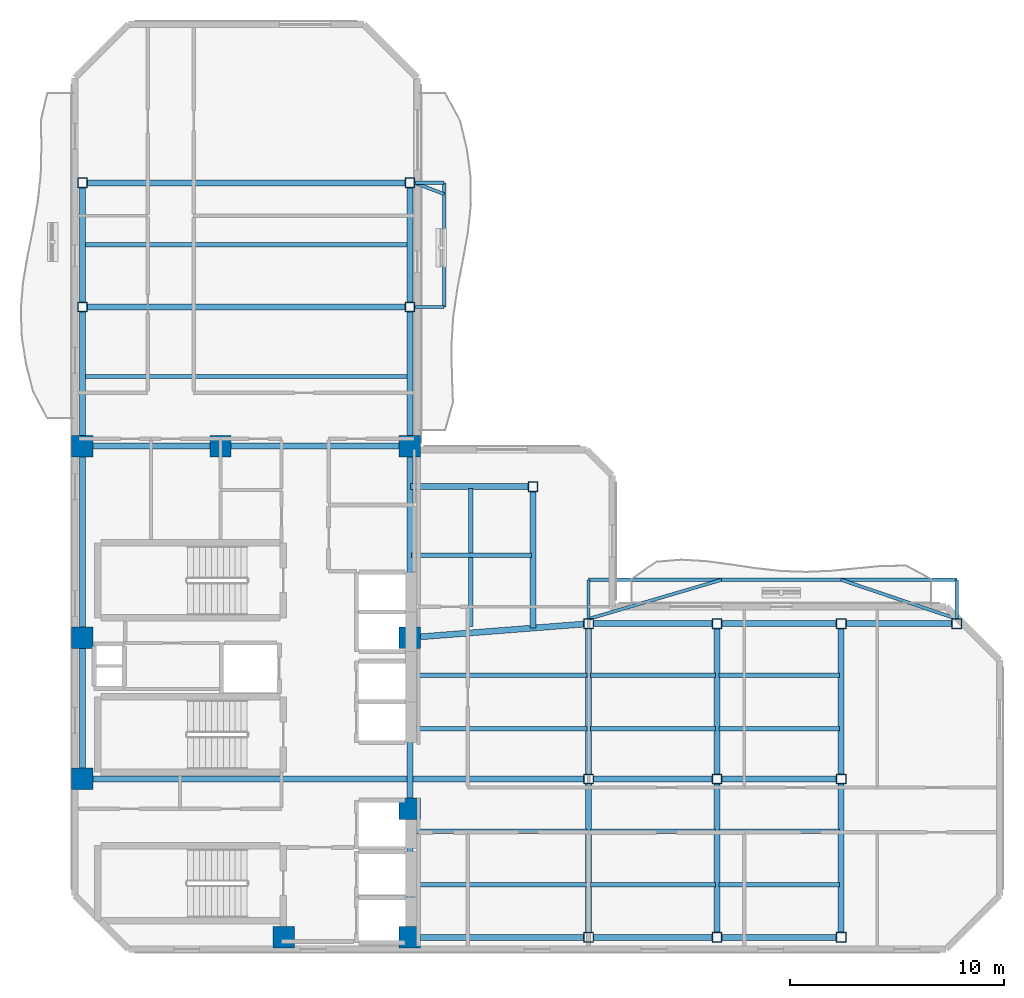
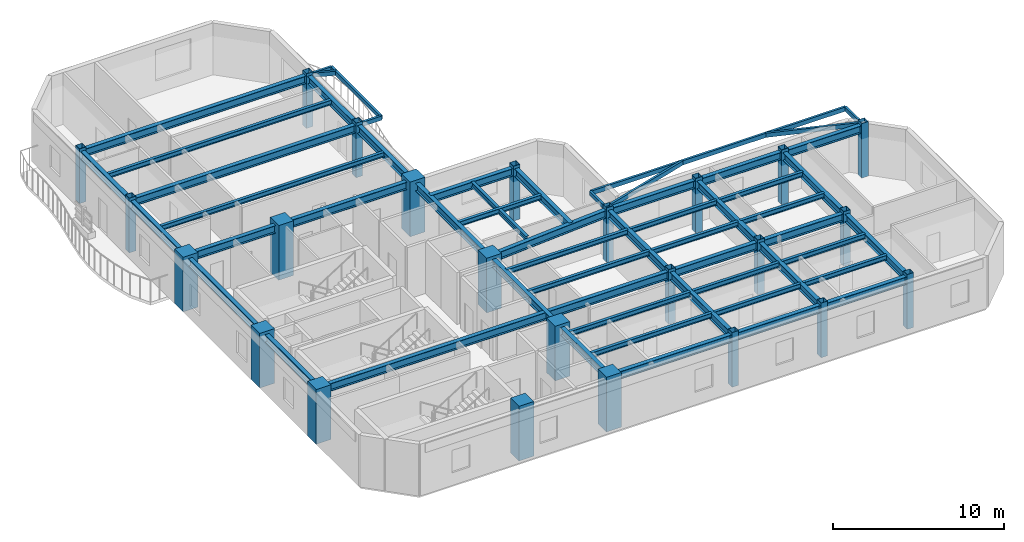
# One storey, part 1 of 13: 56 beams, 24 columns.
"""IFC4 building model written with IfcOpenShell, lengths in metres."""

from ifc_helpers import new_model, si_unit, direction, frame, origin, origin_2d, place, context, subcontext, project, spatial, rectangle, hollow_rectangle, i_section, extrude, material, material_profile, profile_set, type_object, element, save


model = new_model("IFC4")

# Units and contexts
model_context = context("Model", 3, precision=1e-05, world=origin(), true_north=direction((0.0, 1.0)))
body_context = subcontext(model_context, "Body", "Model", "MODEL_VIEW")
ifc_project = project(units=[si_unit("LENGTHUNIT", "METRE"), si_unit("AREAUNIT", "SQUARE_METRE"), si_unit("VOLUMEUNIT", "CUBIC_METRE"), si_unit("PLANEANGLEUNIT", "RADIAN"), si_unit("MASSUNIT", "GRAM", prefix="KILO")], contexts=[model_context])

# Site, building, storey
site_placement = place(None, origin())
site = spatial("IfcSite", under=ifc_project, at=site_placement, CompositionType="ELEMENT")
building_placement = place(site_placement, origin())
building = spatial("IfcBuilding", under=site, at=building_placement, Name="Mawjaban Terraces University", CompositionType="ELEMENT")
storey_placement = place(building_placement, frame((0.0, 0.0, 199.199951171875)))
storey = spatial("IfcBuildingStorey", under=building, at=storey_placement, Name="L48", CompositionType="ELEMENT", Elevation=199.199951171875)

# Columns
ifc_material_1 = material(Name="Concrete C60/75", Category="concrete")
ifc_material_profile_1 = material_profile(ifc_material_1, rectangle(XDim=1.0, YDim=1.0, at=origin_2d()), Name="RC1000X1000")
ifc_profile_set_1 = profile_set([ifc_material_profile_1], Name="Concrete C60/75")
column_type_1 = type_object("IfcColumnType", Name="Col_RC1000X1000", PredefinedType="COLUMN", material=ifc_profile_set_1)
for number, where, z_axis, x_axis, name in (
    (1, (31.75, 0.550048828125, 0.0), (0.0, 0.0, 1.0), (1.0, 0.0, 0.0), "L48 Column CC2"),
    (2, (37.64990234375, 0.550048828125, 0.0), (0.0, 0.0, 1.0), (1.0, 0.0, 0.0), "L48 Column CC3"),
    (3, (22.35009765625, 7.949951171875, 0.0), (0.0, 0.0, 1.0), (1.0, 0.0, 0.0), "L48 Column CC4"),
    (4, (37.64990234375, 6.550048828125, 0.0), (0.0, 0.0, 1.0), (1.0, 0.0, 0.0), "L48 Column CC5"),
    (5, (22.35009765625, 14.550048828125, 0.0), (0.0, 0.0, 1.0), (1.0, 0.0, 0.0), "L48 Column CC6"),
    (6, (37.64990234375, 14.550048828125, 0.0), (0.0, 0.0, 1.0), (1.0, 0.0, 0.0), "L48 Column CC7"),
    (7, (22.35009765625, 23.5, 0.0), (0.0, 0.0, 1.0), (1.0, 0.0, 0.0), "L48 Column CC8"),
    (8, (28.800048828125, 23.5, 0.0), (0.0, 0.0, 1.0), (1.0, 0.0, 0.0), "L48 Column CC9"),
    (9, (37.64990234375, 23.5, 0.0), (0.0, 0.0, 1.0), (1.0, 0.0, 0.0), "L48 Column CC10"),
):
    element("IfcColumn", number, at=place(storey_placement, frame(where, z_axis=z_axis, x_axis=x_axis)), inside=storey, type_object=column_type_1, Name=name, PredefinedType="COLUMN", context=body_context, shape_type="SweptSolid", body=[
        extrude(rectangle(XDim=1.0, YDim=1.0, at=origin_2d()), origin(), (0.0, 0.0, 1.0), 3.900146484375),
    ])
ifc_material_2 = material(Name="Steel EN 10210-1 S355J2H", Category="steel")
ifc_material_profile_2 = material_profile(ifc_material_2, hollow_rectangle(XDim=0.449951171875, YDim=0.449951171875, WallThickness=0.02001953125, at=origin_2d()), Name="SHS450X450X20")
ifc_profile_set_2 = profile_set([ifc_material_profile_2], Name="Steel EN 10210-1 S355J2H")
column_type_2 = type_object("IfcColumnType", Name="Col_SHS450X450X20", PredefinedType="COLUMN", material=ifc_profile_set_2)
for number, where, z_axis, x_axis, name in (
    (10, (46.0, 0.550048828125, 0.0), (0.0, 0.0, 1.0), (1.0, 0.0, 0.0), "L48 Column TE-460-005"),
    (11, (46.0, 7.949951171875, 0.0), (0.0, 0.0, 1.0), (1.0, 0.0, 0.0), "L48 Column TE-460-080"),
    (12, (46.0, 15.199951171875, 0.0), (0.0, 0.0, 1.0), (1.0, 0.0, 0.0), "L48 Column TE-460-152"),
    (13, (52.0, 0.550048828125, 0.0), (0.0, 0.0, 1.0), (1.0, 0.0, 0.0), "L48 Column TE-520-005"),
    (14, (52.0, 7.949951171875, 0.0), (0.0, 0.0, 1.0), (1.0, 0.0, 0.0), "L48 Column TE-520-080"),
    (15, (52.0, 15.199951171875, 0.0), (0.0, 0.0, 1.0), (1.0, 0.0, 0.0), "L48 Column TE-520-152"),
    (16, (57.800048828125, 0.550048828125, 0.0), (0.0, 0.0, 1.0), (1.0, 0.0, 0.0), "L48 Column TE-578-005"),
    (17, (57.800048828125, 7.949951171875, 0.0), (0.0, 0.0, 1.0), (1.0, 0.0, 0.0), "L48 Column TE-578-080"),
    (18, (57.800048828125, 15.199951171875, 0.0), (0.0, 0.0, 1.0), (1.0, 0.0, 0.0), "L48 Column TE-578-152"),
    (19, (63.199951171875, 15.199951171875, 0.0), (0.0, 0.0, 1.0), (1.0, 0.0, 0.0), "L48 Column TE-632-152"),
    (20, (22.35009765625, 30.0, 0.0), (0.0, 0.0, 1.0), (1.0, 0.0, 0.0), "L48 Column TN-223-300"),
    (21, (37.64990234375, 30.0, 0.0), (0.0, 0.0, 1.0), (1.0, 0.0, 0.0), "L48 Column TN-376-300"),
    (22, (22.35009765625, 35.800048828125, 0.0), (0.0, 0.0, 1.0), (1.0, 0.0, 0.0), "L48 Column TN-223-358"),
    (23, (37.64990234375, 35.800048828125, 0.0), (0.0, 0.0, 1.0), (1.0, 0.0, 0.0), "L48 Column TN-376-358"),
    (24, (43.39990234375, 21.60009765625, 0.0), (0.0, 0.0, 1.0), (1.0, 0.0, 0.0), "L48 Column TS-434-216"),
):
    element("IfcColumn", number, at=place(storey_placement, frame(where, z_axis=z_axis, x_axis=x_axis)), inside=storey, type_object=column_type_2, Name=name, PredefinedType="COLUMN", context=body_context, shape_type="SweptSolid", body=[
        extrude(hollow_rectangle(XDim=0.449951171875, YDim=0.449951171875, WallThickness=0.02001953125, at=origin_2d()), origin(), (0.0, 0.0, 1.0), 3.900146484375),
    ])

# Beams
ifc_material_profile_3 = material_profile(ifc_material_2, hollow_rectangle(XDim=0.14990234375, YDim=0.300048828125, WallThickness=0.012451171875, at=origin_2d()), Name="RHS300X150X12.5")
ifc_profile_set_3 = profile_set([ifc_material_profile_3], Name="Steel EN 10210-1 S355J2H")
beam_type_1 = type_object("IfcBeamType", Name="BalconyCantileverSpandrel_RHS", PredefinedType="SPANDREL", material=ifc_profile_set_3)
for number, where, z_axis, x_axis, name in (
    (25, (46.0, 15.425048828125, 3.5400390625), (0.0, 1.0, 0.0), (-1.0, 0.0, 0.0), "L48 Exterior Outrigger BAL-L49-N.1"),
    (26, (63.199951171875, 15.425048828125, 3.5400390625), (0.0, 1.0, 0.0), (-1.0, 0.0, 0.0), "L48 Exterior Outrigger BAL-L49-N.2"),
):
    element("IfcBeam", number, at=place(storey_placement, frame(where, z_axis=z_axis, x_axis=x_axis)), inside=storey, type_object=beam_type_1, Name=name, PredefinedType="SPANDREL", context=body_context, shape_type="SweptSolid", body=[
        extrude(hollow_rectangle(XDim=0.14990234375, YDim=0.300048828125, WallThickness=0.012451171875, at=origin_2d()), origin(), (0.0, 0.0, 1.0), 1.824951171875),
    ])
beam_1_placement = place(storey_placement, frame((46.0, 17.25, 3.5400390625), z_axis=(1.0, 0.0, 0.0), x_axis=(0.0, 1.0, 0.0)))
element("IfcBeam", 27, at=beam_1_placement, inside=storey, type_object=beam_type_1, Name="L48 Exterior Edge Spandrel BAL-L49-N", PredefinedType="SPANDREL", context=body_context, shape_type="SweptSolid", body=[
    extrude(hollow_rectangle(XDim=0.14990234375, YDim=0.300048828125, WallThickness=0.012451171875, at=origin_2d()), origin(), (0.0, 0.0, 1.0), 17.199951171875),
])
beam_2_placement = place(storey_placement, frame((46.0, 15.425048828125, 3.5400390625), z_axis=(0.959305327921, 0.282370833873, 0.0), x_axis=(-0.282370833873, 0.959305327921, 0.0)))
element("IfcBeam", 28, at=beam_2_placement, inside=storey, type_object=beam_type_1, Name="L48 Exterior Diagonal Strut BAL-L49-N.1", PredefinedType="SPANDREL", context=body_context, shape_type="SweptSolid", body=[
    extrude(hollow_rectangle(XDim=0.14990234375, YDim=0.300048828125, WallThickness=0.012451171875, at=origin_2d()), origin(), (0.0, 0.0, 1.0), 6.462890625),
])
beam_3_placement = place(storey_placement, frame((63.199951171875, 15.425048828125, 3.5400390625), z_axis=(-0.947360151124, 0.320169867513, 0.0), x_axis=(-0.320169867513, -0.947360151124, 0.0)))
element("IfcBeam", 29, at=beam_3_placement, inside=storey, type_object=beam_type_1, Name="L48 Exterior Diagonal Strut BAL-L49-N.2", PredefinedType="SPANDREL", context=body_context, shape_type="SweptSolid", body=[
    extrude(hollow_rectangle(XDim=0.14990234375, YDim=0.300048828125, WallThickness=0.012451171875, at=origin_2d()), origin(), (0.0, 0.0, 1.0), 5.699951171875),
])
for number, where, z_axis, x_axis, name in (
    (30, (37.875, 30.0, 3.5400390625), (1.0, 0.0, 0.0), (0.0, 1.0, 0.0), "L48 Exterior Outrigger BAL-L49-E.1"),
    (31, (37.875, 35.800048828125, 3.5400390625), (1.0, 0.0, 0.0), (0.0, 1.0, 0.0), "L48 Exterior Outrigger BAL-L49-E.2"),
):
    element("IfcBeam", number, at=place(storey_placement, frame(where, z_axis=z_axis, x_axis=x_axis)), inside=storey, type_object=beam_type_1, Name=name, PredefinedType="SPANDREL", context=body_context, shape_type="SweptSolid", body=[
        extrude(hollow_rectangle(XDim=0.14990234375, YDim=0.300048828125, WallThickness=0.012451171875, at=origin_2d()), origin(), (0.0, 0.0, 1.0), 1.375),
    ])
beam_4_placement = place(storey_placement, frame((39.25, 30.0, 3.5400390625), z_axis=(0.0, 1.0, 0.0), x_axis=(-1.0, 0.0, 0.0)))
element("IfcBeam", 32, at=beam_4_placement, inside=storey, type_object=beam_type_1, Name="L48 Exterior Edge Spandrel BAL-L49-E", PredefinedType="SPANDREL", context=body_context, shape_type="SweptSolid", body=[
    extrude(hollow_rectangle(XDim=0.14990234375, YDim=0.300048828125, WallThickness=0.012451171875, at=origin_2d()), origin(), (0.0, 0.0, 1.0), 5.800048828125),
])
beam_5_placement = place(storey_placement, frame((37.875, 35.800048828125, 3.5400390625), z_axis=(0.933076337284, -0.35967839635, 0.0), x_axis=(0.35967839635, 0.933076337284, 0.0)))
element("IfcBeam", 33, at=beam_5_placement, inside=storey, type_object=beam_type_1, Name="L48 Exterior Diagonal Strut BAL-L49-E.2", PredefinedType="SPANDREL", context=body_context, shape_type="SweptSolid", body=[
    extrude(hollow_rectangle(XDim=0.14990234375, YDim=0.300048828125, WallThickness=0.012451171875, at=origin_2d()), origin(), (0.0, 0.0, 1.0), 1.4736328125),
])
ifc_material_3 = material(Name="Steel ASTM A572 Grade 50", Category="steel")
ifc_material_profile_4 = material_profile(ifc_material_3, i_section(OverallWidth=0.281005859375, OverallDepth=0.551025390625, WebThickness=0.01513671875, FlangeThickness=0.02587890625, at=origin_2d()), Name="W530X182")
ifc_profile_set_4 = profile_set([ifc_material_profile_4], Name="Steel ASTM A572 Grade 50")
beam_type_2 = type_object("IfcBeamType", Name="Beam_B_W530X182", PredefinedType="BEAM", material=ifc_profile_set_4)
beam_6_placement = place(storey_placement, frame((38.14990234375, 0.550048828125, 3.4140625), z_axis=(1.0, 0.0, 0.0), x_axis=(0.0, 1.0, 0.0)))
element("IfcBeam", 34, at=beam_6_placement, inside=storey, type_object=beam_type_2, Name="L48 Beam BM-L48-EW-01", PredefinedType="BEAM", context=body_context, shape_type="SweptSolid", body=[
    extrude(i_section(OverallWidth=0.281005859375, OverallDepth=0.551025390625, WebThickness=0.01513671875, FlangeThickness=0.02587890625, at=origin_2d()), origin(), (0.0, 0.0, 1.0), 7.625),
])
beam_7_placement = place(storey_placement, frame((46.22509765625, 0.550048828125, 3.4140625), z_axis=(1.0, 0.0, 0.0), x_axis=(0.0, 1.0, 0.0)))
element("IfcBeam", 35, at=beam_7_placement, inside=storey, type_object=beam_type_2, Name="L48 Beam BM-L48-EW-02", PredefinedType="BEAM", context=body_context, shape_type="SweptSolid", body=[
    extrude(i_section(OverallWidth=0.281005859375, OverallDepth=0.551025390625, WebThickness=0.01513671875, FlangeThickness=0.02587890625, at=origin_2d()), origin(), (0.0, 0.0, 1.0), 5.5498046875),
])
beam_8_placement = place(storey_placement, frame((52.22509765625, 0.550048828125, 3.4140625), z_axis=(1.0, 0.0, 0.0), x_axis=(0.0, 1.0, 0.0)))
element("IfcBeam", 36, at=beam_8_placement, inside=storey, type_object=beam_type_2, Name="L48 Beam BM-L48-EW-03", PredefinedType="BEAM", context=body_context, shape_type="SweptSolid", body=[
    extrude(i_section(OverallWidth=0.281005859375, OverallDepth=0.551025390625, WebThickness=0.01513671875, FlangeThickness=0.02587890625, at=origin_2d()), origin(), (0.0, 0.0, 1.0), 5.349853515625),
])
beam_9_placement = place(storey_placement, frame((22.85009765625, 7.949951171875, 3.4140625), z_axis=(1.0, 0.0, 0.0), x_axis=(0.0, 1.0, 0.0)))
element("IfcBeam", 37, at=beam_9_placement, inside=storey, type_object=beam_type_2, Name="L48 Beam BM-L48-EW-04", PredefinedType="BEAM", context=body_context, shape_type="SweptSolid", body=[
    extrude(i_section(OverallWidth=0.281005859375, OverallDepth=0.551025390625, WebThickness=0.01513671875, FlangeThickness=0.02587890625, at=origin_2d()), origin(), (0.0, 0.0, 1.0), 22.9248046875),
])
beam_10_placement = place(storey_placement, frame((46.22509765625, 7.949951171875, 3.4140625), z_axis=(1.0, 0.0, 0.0), x_axis=(0.0, 1.0, 0.0)))
element("IfcBeam", 38, at=beam_10_placement, inside=storey, type_object=beam_type_2, Name="L48 Beam BM-L48-EW-05", PredefinedType="BEAM", context=body_context, shape_type="SweptSolid", body=[
    extrude(i_section(OverallWidth=0.281005859375, OverallDepth=0.551025390625, WebThickness=0.01513671875, FlangeThickness=0.02587890625, at=origin_2d()), origin(), (0.0, 0.0, 1.0), 5.5498046875),
])
beam_11_placement = place(storey_placement, frame((52.22509765625, 7.949951171875, 3.4140625), z_axis=(1.0, 0.0, 0.0), x_axis=(0.0, 1.0, 0.0)))
element("IfcBeam", 39, at=beam_11_placement, inside=storey, type_object=beam_type_2, Name="L48 Beam BM-L48-EW-06", PredefinedType="BEAM", context=body_context, shape_type="SweptSolid", body=[
    extrude(i_section(OverallWidth=0.281005859375, OverallDepth=0.551025390625, WebThickness=0.01513671875, FlangeThickness=0.02587890625, at=origin_2d()), origin(), (0.0, 0.0, 1.0), 5.349853515625),
])
beam_12_placement = place(storey_placement, frame((46.22509765625, 15.199951171875, 3.4140625), z_axis=(1.0, 0.0, 0.0), x_axis=(0.0, 1.0, 0.0)))
element("IfcBeam", 40, at=beam_12_placement, inside=storey, type_object=beam_type_2, Name="L48 Beam BM-L48-EW-07", PredefinedType="BEAM", context=body_context, shape_type="SweptSolid", body=[
    extrude(i_section(OverallWidth=0.281005859375, OverallDepth=0.551025390625, WebThickness=0.01513671875, FlangeThickness=0.02587890625, at=origin_2d()), origin(), (0.0, 0.0, 1.0), 5.5498046875),
])
beam_13_placement = place(storey_placement, frame((52.22509765625, 15.199951171875, 3.4140625), z_axis=(1.0, 0.0, 0.0), x_axis=(0.0, 1.0, 0.0)))
element("IfcBeam", 41, at=beam_13_placement, inside=storey, type_object=beam_type_2, Name="L48 Beam BM-L48-EW-08", PredefinedType="BEAM", context=body_context, shape_type="SweptSolid", body=[
    extrude(i_section(OverallWidth=0.281005859375, OverallDepth=0.551025390625, WebThickness=0.01513671875, FlangeThickness=0.02587890625, at=origin_2d()), origin(), (0.0, 0.0, 1.0), 5.349853515625),
])
beam_14_placement = place(storey_placement, frame((58.02490234375, 15.199951171875, 3.4140625), z_axis=(1.0, 0.0, 0.0), x_axis=(0.0, 1.0, 0.0)))
element("IfcBeam", 42, at=beam_14_placement, inside=storey, type_object=beam_type_2, Name="L48 Beam BM-L48-EW-09", PredefinedType="BEAM", context=body_context, shape_type="SweptSolid", body=[
    extrude(i_section(OverallWidth=0.281005859375, OverallDepth=0.551025390625, WebThickness=0.01513671875, FlangeThickness=0.02587890625, at=origin_2d()), origin(), (0.0, 0.0, 1.0), 4.9501953125),
])
beam_15_placement = place(storey_placement, frame((22.85009765625, 23.5, 3.4140625), z_axis=(1.0, 0.0, 0.0), x_axis=(0.0, 1.0, 0.0)))
element("IfcBeam", 43, at=beam_15_placement, inside=storey, type_object=beam_type_2, Name="L48 Beam BM-L48-EW-10", PredefinedType="BEAM", context=body_context, shape_type="SweptSolid", body=[
    extrude(i_section(OverallWidth=0.281005859375, OverallDepth=0.551025390625, WebThickness=0.01513671875, FlangeThickness=0.02587890625, at=origin_2d()), origin(), (0.0, 0.0, 1.0), 5.449951171875),
])
beam_16_placement = place(storey_placement, frame((29.300048828125, 23.5, 3.4140625), z_axis=(1.0, 0.0, 0.0), x_axis=(0.0, 1.0, 0.0)))
element("IfcBeam", 44, at=beam_16_placement, inside=storey, type_object=beam_type_2, Name="L48 Beam BM-L48-EW-11", PredefinedType="BEAM", context=body_context, shape_type="SweptSolid", body=[
    extrude(i_section(OverallWidth=0.281005859375, OverallDepth=0.551025390625, WebThickness=0.01513671875, FlangeThickness=0.02587890625, at=origin_2d()), origin(), (0.0, 0.0, 1.0), 7.849853515625),
])
for number, where, z_axis, x_axis, name in (
    (45, (22.574951171875, 30.0, 3.4140625), (1.0, 0.0, 0.0), (0.0, 1.0, 0.0), "L48 Beam BM-L48-EW-12"),
    (46, (22.574951171875, 35.800048828125, 3.4140625), (1.0, 0.0, 0.0), (0.0, 1.0, 0.0), "L48 Beam BM-L48-EW-13"),
):
    element("IfcBeam", number, at=place(storey_placement, frame(where, z_axis=z_axis, x_axis=x_axis)), inside=storey, type_object=beam_type_2, Name=name, PredefinedType="BEAM", context=body_context, shape_type="SweptSolid", body=[
        extrude(i_section(OverallWidth=0.281005859375, OverallDepth=0.551025390625, WebThickness=0.01513671875, FlangeThickness=0.02587890625, at=origin_2d()), origin(), (0.0, 0.0, 1.0), 14.85009765625),
    ])
beam_17_placement = place(storey_placement, frame((22.35009765625, 8.449951171875, 3.4140625), z_axis=(0.0, 1.0, 0.0), x_axis=(-1.0, 0.0, 0.0)))
element("IfcBeam", 47, at=beam_17_placement, inside=storey, type_object=beam_type_2, Name="L48 Beam BM-L48-NS-01", PredefinedType="BEAM", context=body_context, shape_type="SweptSolid", body=[
    extrude(i_section(OverallWidth=0.281005859375, OverallDepth=0.551025390625, WebThickness=0.01513671875, FlangeThickness=0.02587890625, at=origin_2d()), origin(), (0.0, 0.0, 1.0), 5.60009765625),
])
beam_18_placement = place(storey_placement, frame((22.35009765625, 15.050048828125, 3.4140625), z_axis=(0.0, 1.0, 0.0), x_axis=(-1.0, 0.0, 0.0)))
element("IfcBeam", 48, at=beam_18_placement, inside=storey, type_object=beam_type_2, Name="L48 Beam BM-L48-NS-02", PredefinedType="BEAM", context=body_context, shape_type="SweptSolid", body=[
    extrude(i_section(OverallWidth=0.281005859375, OverallDepth=0.551025390625, WebThickness=0.01513671875, FlangeThickness=0.02587890625, at=origin_2d()), origin(), (0.0, 0.0, 1.0), 7.949951171875),
])
beam_19_placement = place(storey_placement, frame((22.35009765625, 24.0, 3.4140625), z_axis=(0.0, 1.0, 0.0), x_axis=(-1.0, 0.0, 0.0)))
element("IfcBeam", 49, at=beam_19_placement, inside=storey, type_object=beam_type_2, Name="L48 Beam BM-L48-NS-03", PredefinedType="BEAM", context=body_context, shape_type="SweptSolid", body=[
    extrude(i_section(OverallWidth=0.281005859375, OverallDepth=0.551025390625, WebThickness=0.01513671875, FlangeThickness=0.02587890625, at=origin_2d()), origin(), (0.0, 0.0, 1.0), 5.77490234375),
])
beam_20_placement = place(storey_placement, frame((22.35009765625, 30.22509765625, 3.4140625), z_axis=(0.0, 1.0, 0.0), x_axis=(-1.0, 0.0, 0.0)))
element("IfcBeam", 50, at=beam_20_placement, inside=storey, type_object=beam_type_2, Name="L48 Beam BM-L48-NS-04", PredefinedType="BEAM", context=body_context, shape_type="SweptSolid", body=[
    extrude(i_section(OverallWidth=0.281005859375, OverallDepth=0.551025390625, WebThickness=0.01513671875, FlangeThickness=0.02587890625, at=origin_2d()), origin(), (0.0, 0.0, 1.0), 5.349853515625),
])
beam_21_placement = place(storey_placement, frame((37.64990234375, 1.050048828125, 3.4140625), z_axis=(0.0, 1.0, 0.0), x_axis=(-1.0, 0.0, 0.0)))
element("IfcBeam", 51, at=beam_21_placement, inside=storey, type_object=beam_type_2, Name="L48 Beam BM-L48-NS-05", PredefinedType="BEAM", context=body_context, shape_type="SweptSolid", body=[
    extrude(i_section(OverallWidth=0.281005859375, OverallDepth=0.551025390625, WebThickness=0.01513671875, FlangeThickness=0.02587890625, at=origin_2d()), origin(), (0.0, 0.0, 1.0), 5.0),
])
beam_22_placement = place(storey_placement, frame((37.64990234375, 7.050048828125, 3.4140625), z_axis=(0.0, 1.0, 0.0), x_axis=(-1.0, 0.0, 0.0)))
element("IfcBeam", 52, at=beam_22_placement, inside=storey, type_object=beam_type_2, Name="L48 Beam BM-L48-NS-06", PredefinedType="BEAM", context=body_context, shape_type="SweptSolid", body=[
    extrude(i_section(OverallWidth=0.281005859375, OverallDepth=0.551025390625, WebThickness=0.01513671875, FlangeThickness=0.02587890625, at=origin_2d()), origin(), (0.0, 0.0, 1.0), 7.0),
])
beam_23_placement = place(storey_placement, frame((37.64990234375, 15.050048828125, 3.4140625), z_axis=(0.0, 1.0, 0.0), x_axis=(-1.0, 0.0, 0.0)))
element("IfcBeam", 53, at=beam_23_placement, inside=storey, type_object=beam_type_2, Name="L48 Beam BM-L48-NS-07", PredefinedType="BEAM", context=body_context, shape_type="SweptSolid", body=[
    extrude(i_section(OverallWidth=0.281005859375, OverallDepth=0.551025390625, WebThickness=0.01513671875, FlangeThickness=0.02587890625, at=origin_2d()), origin(), (0.0, 0.0, 1.0), 7.949951171875),
])
beam_24_placement = place(storey_placement, frame((37.64990234375, 24.0, 3.4140625), z_axis=(0.0, 1.0, 0.0), x_axis=(-1.0, 0.0, 0.0)))
element("IfcBeam", 54, at=beam_24_placement, inside=storey, type_object=beam_type_2, Name="L48 Beam BM-L48-NS-08", PredefinedType="BEAM", context=body_context, shape_type="SweptSolid", body=[
    extrude(i_section(OverallWidth=0.281005859375, OverallDepth=0.551025390625, WebThickness=0.01513671875, FlangeThickness=0.02587890625, at=origin_2d()), origin(), (0.0, 0.0, 1.0), 5.77490234375),
])
beam_25_placement = place(storey_placement, frame((37.64990234375, 30.22509765625, 3.4140625), z_axis=(0.0, 1.0, 0.0), x_axis=(-1.0, 0.0, 0.0)))
element("IfcBeam", 55, at=beam_25_placement, inside=storey, type_object=beam_type_2, Name="L48 Beam BM-L48-NS-09", PredefinedType="BEAM", context=body_context, shape_type="SweptSolid", body=[
    extrude(i_section(OverallWidth=0.281005859375, OverallDepth=0.551025390625, WebThickness=0.01513671875, FlangeThickness=0.02587890625, at=origin_2d()), origin(), (0.0, 0.0, 1.0), 5.349853515625),
])
beam_26_placement = place(storey_placement, frame((46.0, 0.77490234375, 3.4140625), z_axis=(0.0, 1.0, 0.0), x_axis=(-1.0, 0.0, 0.0)))
element("IfcBeam", 56, at=beam_26_placement, inside=storey, type_object=beam_type_2, Name="L48 Beam BM-L48-NS-10", PredefinedType="BEAM", context=body_context, shape_type="SweptSolid", body=[
    extrude(i_section(OverallWidth=0.281005859375, OverallDepth=0.551025390625, WebThickness=0.01513671875, FlangeThickness=0.02587890625, at=origin_2d()), origin(), (0.0, 0.0, 1.0), 6.9501953125),
])
beam_27_placement = place(storey_placement, frame((46.0, 8.175048828125, 3.4140625), z_axis=(0.0, 1.0, 0.0), x_axis=(-1.0, 0.0, 0.0)))
element("IfcBeam", 57, at=beam_27_placement, inside=storey, type_object=beam_type_2, Name="L48 Beam BM-L48-NS-11", PredefinedType="BEAM", context=body_context, shape_type="SweptSolid", body=[
    extrude(i_section(OverallWidth=0.281005859375, OverallDepth=0.551025390625, WebThickness=0.01513671875, FlangeThickness=0.02587890625, at=origin_2d()), origin(), (0.0, 0.0, 1.0), 6.800048828125),
])
beam_28_placement = place(storey_placement, frame((52.0, 0.77490234375, 3.4140625), z_axis=(0.0, 1.0, 0.0), x_axis=(-1.0, 0.0, 0.0)))
element("IfcBeam", 58, at=beam_28_placement, inside=storey, type_object=beam_type_2, Name="L48 Beam BM-L48-NS-12", PredefinedType="BEAM", context=body_context, shape_type="SweptSolid", body=[
    extrude(i_section(OverallWidth=0.281005859375, OverallDepth=0.551025390625, WebThickness=0.01513671875, FlangeThickness=0.02587890625, at=origin_2d()), origin(), (0.0, 0.0, 1.0), 6.9501953125),
])
beam_29_placement = place(storey_placement, frame((52.0, 8.175048828125, 3.4140625), z_axis=(0.0, 1.0, 0.0), x_axis=(-1.0, 0.0, 0.0)))
element("IfcBeam", 59, at=beam_29_placement, inside=storey, type_object=beam_type_2, Name="L48 Beam BM-L48-NS-13", PredefinedType="BEAM", context=body_context, shape_type="SweptSolid", body=[
    extrude(i_section(OverallWidth=0.281005859375, OverallDepth=0.551025390625, WebThickness=0.01513671875, FlangeThickness=0.02587890625, at=origin_2d()), origin(), (0.0, 0.0, 1.0), 6.800048828125),
])
beam_30_placement = place(storey_placement, frame((57.800048828125, 0.77490234375, 3.4140625), z_axis=(0.0, 1.0, 0.0), x_axis=(-1.0, 0.0, 0.0)))
element("IfcBeam", 60, at=beam_30_placement, inside=storey, type_object=beam_type_2, Name="L48 Beam BM-L48-NS-14", PredefinedType="BEAM", context=body_context, shape_type="SweptSolid", body=[
    extrude(i_section(OverallWidth=0.281005859375, OverallDepth=0.551025390625, WebThickness=0.01513671875, FlangeThickness=0.02587890625, at=origin_2d()), origin(), (0.0, 0.0, 1.0), 6.9501953125),
])
beam_31_placement = place(storey_placement, frame((57.800048828125, 8.175048828125, 3.4140625), z_axis=(0.0, 1.0, 0.0), x_axis=(-1.0, 0.0, 0.0)))
element("IfcBeam", 61, at=beam_31_placement, inside=storey, type_object=beam_type_2, Name="L48 Beam BM-L48-NS-15", PredefinedType="BEAM", context=body_context, shape_type="SweptSolid", body=[
    extrude(i_section(OverallWidth=0.281005859375, OverallDepth=0.551025390625, WebThickness=0.01513671875, FlangeThickness=0.02587890625, at=origin_2d()), origin(), (0.0, 0.0, 1.0), 6.800048828125),
])
beam_32_placement = place(storey_placement, frame((38.14794921875, 14.589111328125, 3.4140625), z_axis=(0.99698177718, 0.077635919341, 0.0), x_axis=(-0.077635919341, 0.99698177718, 0.0)))
element("IfcBeam", 62, at=beam_32_placement, inside=storey, type_object=beam_type_2, Name="L48 Beam BM-L48-CTIE", PredefinedType="BEAM", context=body_context, shape_type="SweptSolid", body=[
    extrude(i_section(OverallWidth=0.281005859375, OverallDepth=0.551025390625, WebThickness=0.01513671875, FlangeThickness=0.02587890625, at=origin_2d()), origin(), (0.0, 0.0, 1.0), 7.651123046875),
])
beam_33_placement = place(storey_placement, frame((37.679931640625, 21.60009765625, 3.4140625), z_axis=(1.0, 0.0, 0.0), x_axis=(0.0, 1.0, 0.0)))
element("IfcBeam", 63, at=beam_33_placement, inside=storey, type_object=beam_type_2, Name="L48 Spur Tie Girder West", PredefinedType="BEAM", context=body_context, shape_type="SweptSolid", body=[
    extrude(i_section(OverallWidth=0.281005859375, OverallDepth=0.551025390625, WebThickness=0.01513671875, FlangeThickness=0.02587890625, at=origin_2d()), origin(), (0.0, 0.0, 1.0), 5.4951171875),
])
beam_34_placement = place(storey_placement, frame((43.39990234375, 15.0, 3.4140625), z_axis=(0.0, 1.0, 0.0), x_axis=(-1.0, 0.0, 0.0)))
element("IfcBeam", 64, at=beam_34_placement, inside=storey, type_object=beam_type_2, Name="L48 Spur Tie Girder South", PredefinedType="BEAM", context=body_context, shape_type="SweptSolid", body=[
    extrude(i_section(OverallWidth=0.281005859375, OverallDepth=0.551025390625, WebThickness=0.01513671875, FlangeThickness=0.02587890625, at=origin_2d()), origin(), (0.0, 0.0, 1.0), 6.375),
])
ifc_material_profile_5 = material_profile(ifc_material_3, i_section(OverallWidth=0.202880859375, OverallDepth=0.346923828125, WebThickness=0.0078125, FlangeThickness=0.013427734375, at=origin_2d()), Name="W360X64")
ifc_profile_set_5 = profile_set([ifc_material_profile_5], Name="Steel ASTM A572 Grade 50")
beam_type_3 = type_object("IfcBeamType", Name="Beam_J_W360X64", PredefinedType="JOIST", material=ifc_profile_set_5)
beam_35_placement = place(storey_placement, frame((37.72998046875, 3.0, 3.51611328125), z_axis=(1.0, 0.0, 0.0), x_axis=(0.0, 1.0, 0.0)))
element("IfcBeam", 65, at=beam_35_placement, inside=storey, type_object=beam_type_3, Name="L48 Composite Joist JST-L48-01", PredefinedType="JOIST", context=body_context, shape_type="SweptSolid", body=[
    extrude(i_section(OverallWidth=0.202880859375, OverallDepth=0.346923828125, WebThickness=0.0078125, FlangeThickness=0.013427734375, at=origin_2d()), origin(), (0.0, 0.0, 1.0), 8.18994140625),
])
beam_36_placement = place(storey_placement, frame((46.080078125, 3.0, 3.51611328125), z_axis=(1.0, 0.0, 0.0), x_axis=(0.0, 1.0, 0.0)))
element("IfcBeam", 66, at=beam_36_placement, inside=storey, type_object=beam_type_3, Name="L48 Composite Joist JST-L48-02", PredefinedType="JOIST", context=body_context, shape_type="SweptSolid", body=[
    extrude(i_section(OverallWidth=0.202880859375, OverallDepth=0.346923828125, WebThickness=0.0078125, FlangeThickness=0.013427734375, at=origin_2d()), origin(), (0.0, 0.0, 1.0), 5.83984375),
])
beam_37_placement = place(storey_placement, frame((52.080078125, 3.0, 3.51611328125), z_axis=(1.0, 0.0, 0.0), x_axis=(0.0, 1.0, 0.0)))
element("IfcBeam", 67, at=beam_37_placement, inside=storey, type_object=beam_type_3, Name="L48 Composite Joist JST-L48-03", PredefinedType="JOIST", context=body_context, shape_type="SweptSolid", body=[
    extrude(i_section(OverallWidth=0.202880859375, OverallDepth=0.346923828125, WebThickness=0.0078125, FlangeThickness=0.013427734375, at=origin_2d()), origin(), (0.0, 0.0, 1.0), 5.639892578125),
])
beam_38_placement = place(storey_placement, frame((37.72998046875, 5.5, 3.51611328125), z_axis=(1.0, 0.0, 0.0), x_axis=(0.0, 1.0, 0.0)))
element("IfcBeam", 68, at=beam_38_placement, inside=storey, type_object=beam_type_3, Name="L48 Composite Joist JST-L48-04", PredefinedType="JOIST", context=body_context, shape_type="SweptSolid", body=[
    extrude(i_section(OverallWidth=0.202880859375, OverallDepth=0.346923828125, WebThickness=0.0078125, FlangeThickness=0.013427734375, at=origin_2d()), origin(), (0.0, 0.0, 1.0), 8.18994140625),
])
beam_39_placement = place(storey_placement, frame((46.080078125, 5.5, 3.51611328125), z_axis=(1.0, 0.0, 0.0), x_axis=(0.0, 1.0, 0.0)))
element("IfcBeam", 69, at=beam_39_placement, inside=storey, type_object=beam_type_3, Name="L48 Composite Joist JST-L48-05", PredefinedType="JOIST", context=body_context, shape_type="SweptSolid", body=[
    extrude(i_section(OverallWidth=0.202880859375, OverallDepth=0.346923828125, WebThickness=0.0078125, FlangeThickness=0.013427734375, at=origin_2d()), origin(), (0.0, 0.0, 1.0), 5.83984375),
])
beam_40_placement = place(storey_placement, frame((52.080078125, 5.5, 3.51611328125), z_axis=(1.0, 0.0, 0.0), x_axis=(0.0, 1.0, 0.0)))
element("IfcBeam", 70, at=beam_40_placement, inside=storey, type_object=beam_type_3, Name="L48 Composite Joist JST-L48-06", PredefinedType="JOIST", context=body_context, shape_type="SweptSolid", body=[
    extrude(i_section(OverallWidth=0.202880859375, OverallDepth=0.346923828125, WebThickness=0.0078125, FlangeThickness=0.013427734375, at=origin_2d()), origin(), (0.0, 0.0, 1.0), 5.639892578125),
])
beam_41_placement = place(storey_placement, frame((37.72998046875, 10.300048828125, 3.51611328125), z_axis=(1.0, 0.0, 0.0), x_axis=(0.0, 1.0, 0.0)))
element("IfcBeam", 71, at=beam_41_placement, inside=storey, type_object=beam_type_3, Name="L48 Composite Joist JST-L48-07", PredefinedType="JOIST", context=body_context, shape_type="SweptSolid", body=[
    extrude(i_section(OverallWidth=0.202880859375, OverallDepth=0.346923828125, WebThickness=0.0078125, FlangeThickness=0.013427734375, at=origin_2d()), origin(), (0.0, 0.0, 1.0), 8.18994140625),
])
beam_42_placement = place(storey_placement, frame((46.080078125, 10.300048828125, 3.51611328125), z_axis=(1.0, 0.0, 0.0), x_axis=(0.0, 1.0, 0.0)))
element("IfcBeam", 72, at=beam_42_placement, inside=storey, type_object=beam_type_3, Name="L48 Composite Joist JST-L48-08", PredefinedType="JOIST", context=body_context, shape_type="SweptSolid", body=[
    extrude(i_section(OverallWidth=0.202880859375, OverallDepth=0.346923828125, WebThickness=0.0078125, FlangeThickness=0.013427734375, at=origin_2d()), origin(), (0.0, 0.0, 1.0), 5.83984375),
])
beam_43_placement = place(storey_placement, frame((52.080078125, 10.300048828125, 3.51611328125), z_axis=(1.0, 0.0, 0.0), x_axis=(0.0, 1.0, 0.0)))
element("IfcBeam", 73, at=beam_43_placement, inside=storey, type_object=beam_type_3, Name="L48 Composite Joist JST-L48-09", PredefinedType="JOIST", context=body_context, shape_type="SweptSolid", body=[
    extrude(i_section(OverallWidth=0.202880859375, OverallDepth=0.346923828125, WebThickness=0.0078125, FlangeThickness=0.013427734375, at=origin_2d()), origin(), (0.0, 0.0, 1.0), 5.639892578125),
])
beam_44_placement = place(storey_placement, frame((37.72998046875, 12.800048828125, 3.51611328125), z_axis=(1.0, 0.0, 0.0), x_axis=(0.0, 1.0, 0.0)))
element("IfcBeam", 74, at=beam_44_placement, inside=storey, type_object=beam_type_3, Name="L48 Composite Joist JST-L48-10", PredefinedType="JOIST", context=body_context, shape_type="SweptSolid", body=[
    extrude(i_section(OverallWidth=0.202880859375, OverallDepth=0.346923828125, WebThickness=0.0078125, FlangeThickness=0.013427734375, at=origin_2d()), origin(), (0.0, 0.0, 1.0), 8.18994140625),
])
beam_45_placement = place(storey_placement, frame((46.080078125, 12.800048828125, 3.51611328125), z_axis=(1.0, 0.0, 0.0), x_axis=(0.0, 1.0, 0.0)))
element("IfcBeam", 75, at=beam_45_placement, inside=storey, type_object=beam_type_3, Name="L48 Composite Joist JST-L48-11", PredefinedType="JOIST", context=body_context, shape_type="SweptSolid", body=[
    extrude(i_section(OverallWidth=0.202880859375, OverallDepth=0.346923828125, WebThickness=0.0078125, FlangeThickness=0.013427734375, at=origin_2d()), origin(), (0.0, 0.0, 1.0), 5.83984375),
])
beam_46_placement = place(storey_placement, frame((52.080078125, 12.800048828125, 3.51611328125), z_axis=(1.0, 0.0, 0.0), x_axis=(0.0, 1.0, 0.0)))
element("IfcBeam", 76, at=beam_46_placement, inside=storey, type_object=beam_type_3, Name="L48 Composite Joist JST-L48-12", PredefinedType="JOIST", context=body_context, shape_type="SweptSolid", body=[
    extrude(i_section(OverallWidth=0.202880859375, OverallDepth=0.346923828125, WebThickness=0.0078125, FlangeThickness=0.013427734375, at=origin_2d()), origin(), (0.0, 0.0, 1.0), 5.639892578125),
])
beam_47_placement = place(storey_placement, frame((37.72998046875, 18.39990234375, 3.51611328125), z_axis=(1.0, 0.0, 0.0), x_axis=(0.0, 1.0, 0.0)))
element("IfcBeam", 77, at=beam_47_placement, inside=storey, type_object=beam_type_3, Name="L48 Composite Joist JST-L48-13", PredefinedType="JOIST", context=body_context, shape_type="SweptSolid", body=[
    extrude(i_section(OverallWidth=0.202880859375, OverallDepth=0.346923828125, WebThickness=0.0078125, FlangeThickness=0.013427734375, at=origin_2d()), origin(), (0.0, 0.0, 1.0), 5.590087890625),
])
for number, where, z_axis, x_axis, name in (
    (78, (22.429931640625, 26.75, 3.51611328125), (1.0, 0.0, 0.0), (0.0, 1.0, 0.0), "L48 Composite Joist JST-L48-14"),
    (79, (22.429931640625, 32.89990234375, 3.51611328125), (1.0, 0.0, 0.0), (0.0, 1.0, 0.0), "L48 Composite Joist JST-L48-15"),
):
    element("IfcBeam", number, at=place(storey_placement, frame(where, z_axis=z_axis, x_axis=x_axis)), inside=storey, type_object=beam_type_3, Name=name, PredefinedType="JOIST", context=body_context, shape_type="SweptSolid", body=[
        extrude(i_section(OverallWidth=0.202880859375, OverallDepth=0.346923828125, WebThickness=0.0078125, FlangeThickness=0.013427734375, at=origin_2d()), origin(), (0.0, 0.0, 1.0), 15.14013671875),
    ])
beam_48_placement = place(storey_placement, frame((40.5, 15.080078125, 3.51611328125), z_axis=(0.0, 1.0, 0.0), x_axis=(-1.0, 0.0, 0.0)))
element("IfcBeam", 80, at=beam_48_placement, inside=storey, type_object=beam_type_3, Name="L48 Composite Joist JST-L48-NS-16", PredefinedType="JOIST", context=body_context, shape_type="SweptSolid", body=[
    extrude(i_section(OverallWidth=0.202880859375, OverallDepth=0.346923828125, WebThickness=0.0078125, FlangeThickness=0.013427734375, at=origin_2d()), origin(), (0.0, 0.0, 1.0), 6.43994140625),
])

save(model, "model.ifc")
